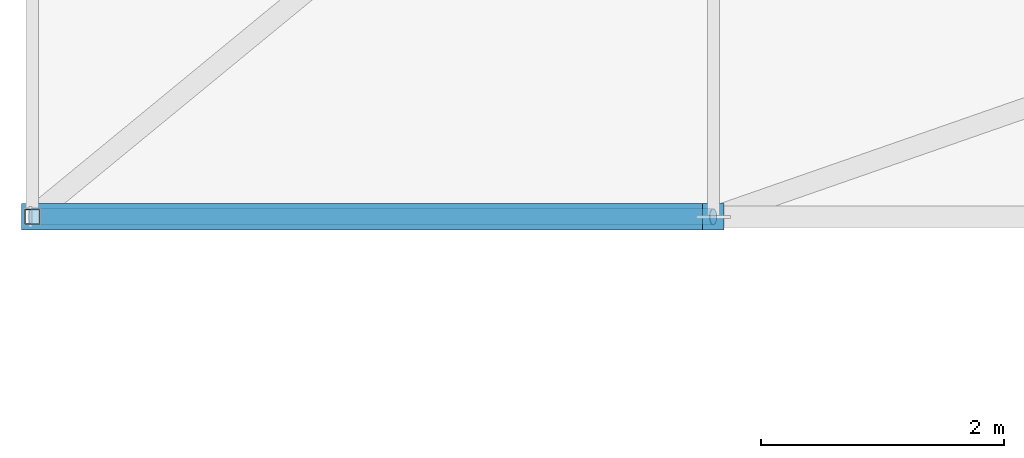
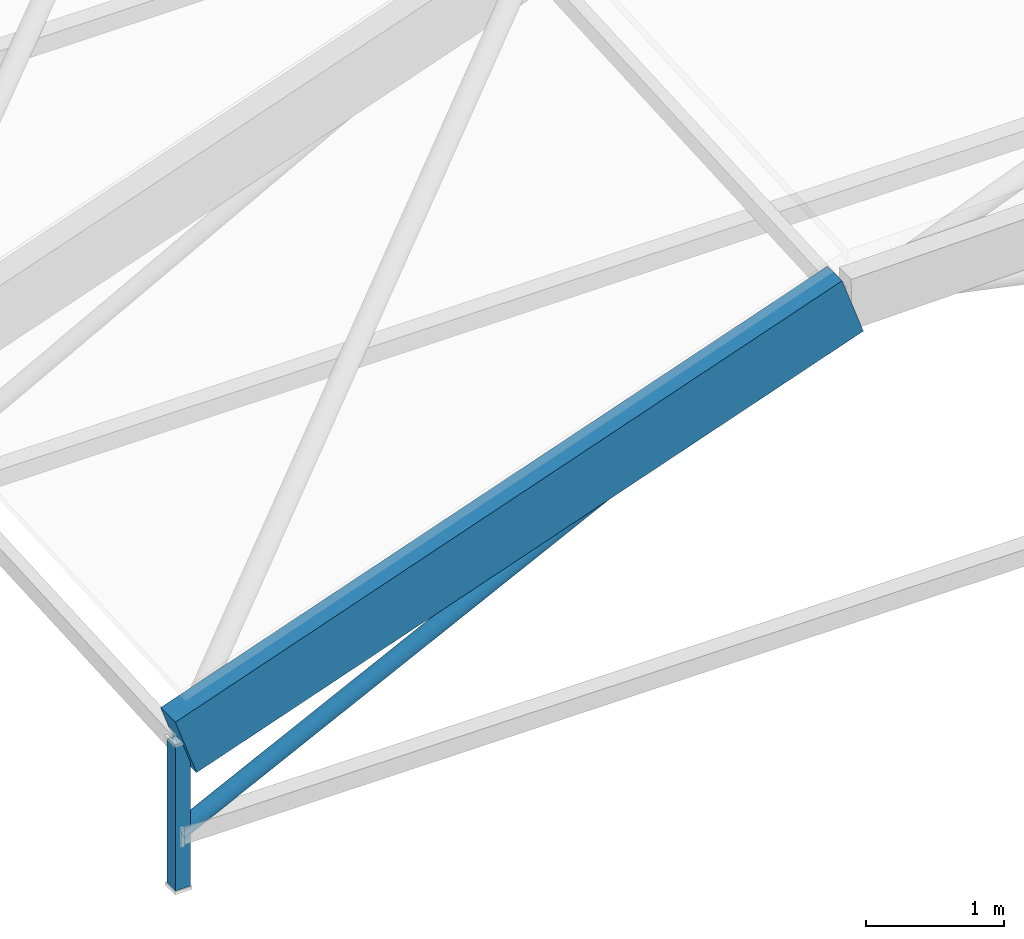
# One storey, part 18 of 134: 3 members.
"""IFC4 building model written with IfcOpenShell, lengths in metres."""

from ifc_helpers import new_model, si_unit, direction, frame, origin, origin_2d, place, context, subcontext, project, spatial, rectangle, hollow_rectangle, hollow_circle, extrude, material, material_profile, profile_set, type_object, element, save


model = new_model("IFC4")

# Units and contexts
model_context = context("Model", 3, precision=1e-05, world=origin(), true_north=direction((0.0, 1.0)))
body_context = subcontext(model_context, "Body", "Model", "MODEL_VIEW")
ifc_project = project(units=[si_unit("LENGTHUNIT", "METRE"), si_unit("AREAUNIT", "SQUARE_METRE"), si_unit("VOLUMEUNIT", "CUBIC_METRE"), si_unit("PLANEANGLEUNIT", "RADIAN"), si_unit("MASSUNIT", "GRAM", prefix="KILO")], contexts=[model_context])

# Site, building, storey
site_placement = place(None, origin())
site = spatial("IfcSite", under=ifc_project, at=site_placement, CompositionType="ELEMENT")
building_placement = place(site_placement, origin())
building = spatial("IfcBuilding", under=site, at=building_placement, Name="Karori Crest Natural Sciences Institute", CompositionType="ELEMENT")
storey_placement = place(building_placement, frame((0.0, 0.0, 21.699951171875)))
storey = spatial("IfcBuildingStorey", under=building, at=storey_placement, Name="L05", CompositionType="ELEMENT", Elevation=21.699951171875)

# Members
ifc_material_1 = material(Name="Glulam GL12", Category="wood")
ifc_material_profile_1 = material_profile(ifc_material_1, rectangle(XDim=0.215087890625, YDim=0.5400390625, at=origin_2d()), Name="GL215x540")
ifc_profile_set_1 = profile_set([ifc_material_profile_1], Name="Glulam GL12")
member_type_1 = type_object("IfcMemberType", Name="MT-16", PredefinedType="USERDEFINED", material=ifc_profile_set_1)
member_1_placement = place(storey_placement, frame((1.800048828125, 31.199951171875, 0.929931640625), z_axis=(0.943896202388, 0.0, 0.330242273365), x_axis=(0.0, 1.0, 0.0)))
element("IfcMember", 1, at=member_1_placement, inside=storey, type_object=member_type_1, Name="Member M-0354", ObjectType="ARCH_SEGMENT", PredefinedType="USERDEFINED", context=body_context, shape_type="SweptSolid", body=[
    extrude(rectangle(XDim=0.215087890625, YDim=0.5400390625, at=origin_2d()), origin(), (0.0, 0.0, 1.0), 5.9326171875),
])
ifc_material_2 = material(Name="Hollow structural steel AS/NZS 1163 Grade C350", Category="steel")
ifc_material_profile_2 = material_profile(ifc_material_2, hollow_circle(Radius=0.06982421875, WallThickness=0.00634765625, at=origin_2d()), Name="CHS139.7x6.4")
ifc_profile_set_2 = profile_set([ifc_material_profile_2], Name="Hollow structural steel AS/NZS 1163 Grade C350")
member_type_2 = type_object("IfcMemberType", Name="MT-18-IL", PredefinedType="STRUT", material=ifc_profile_set_2)
member_2_placement = place(storey_placement, frame((1.800048828125, 31.199951171875, 0.1201171875), z_axis=(0.896395934561, 0.0, 0.443254248149), x_axis=(0.0, 1.0, 0.0)))
element("IfcMember", 2, at=member_2_placement, inside=storey, type_object=member_type_2, Name="Member M-0355", PredefinedType="STRUT", context=body_context, shape_type="SweptSolid", body=[
    extrude(hollow_circle(Radius=0.06982421875, WallThickness=0.00634765625, at=origin_2d()), origin(), (0.0, 0.0, 1.0), 6.2470703125),
])
ifc_material_profile_3 = material_profile(ifc_material_2, hollow_rectangle(XDim=0.125, YDim=0.125, WallThickness=0.006103515625, at=origin_2d()), Name="SHS125x125x6")
ifc_profile_set_3 = profile_set([ifc_material_profile_3], Name="Hollow structural steel AS/NZS 1163 Grade C350")
member_type_3 = type_object("IfcMemberType", Name="MT-20", PredefinedType="STRUT", material=ifc_profile_set_3)
member_3_placement = place(storey_placement, frame((1.800048828125, 31.199951171875, -0.349853515625), z_axis=(0.0, 0.0, 1.0), x_axis=(1.0, 0.0, 0.0)))
element("IfcMember", 3, at=member_3_placement, inside=storey, type_object=member_type_3, Name="Member M-0351", PredefinedType="STRUT", context=body_context, shape_type="SweptSolid", body=[
    extrude(hollow_rectangle(XDim=0.125, YDim=0.125, WallThickness=0.006103515625, at=origin_2d()), origin(), (0.0, 0.0, 1.0), 1.27978515625),
])

save(model, "model.ifc")
